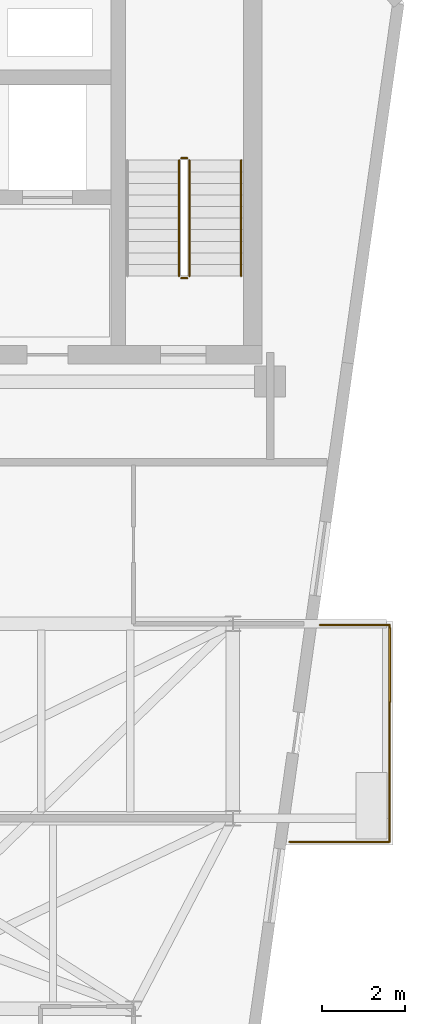
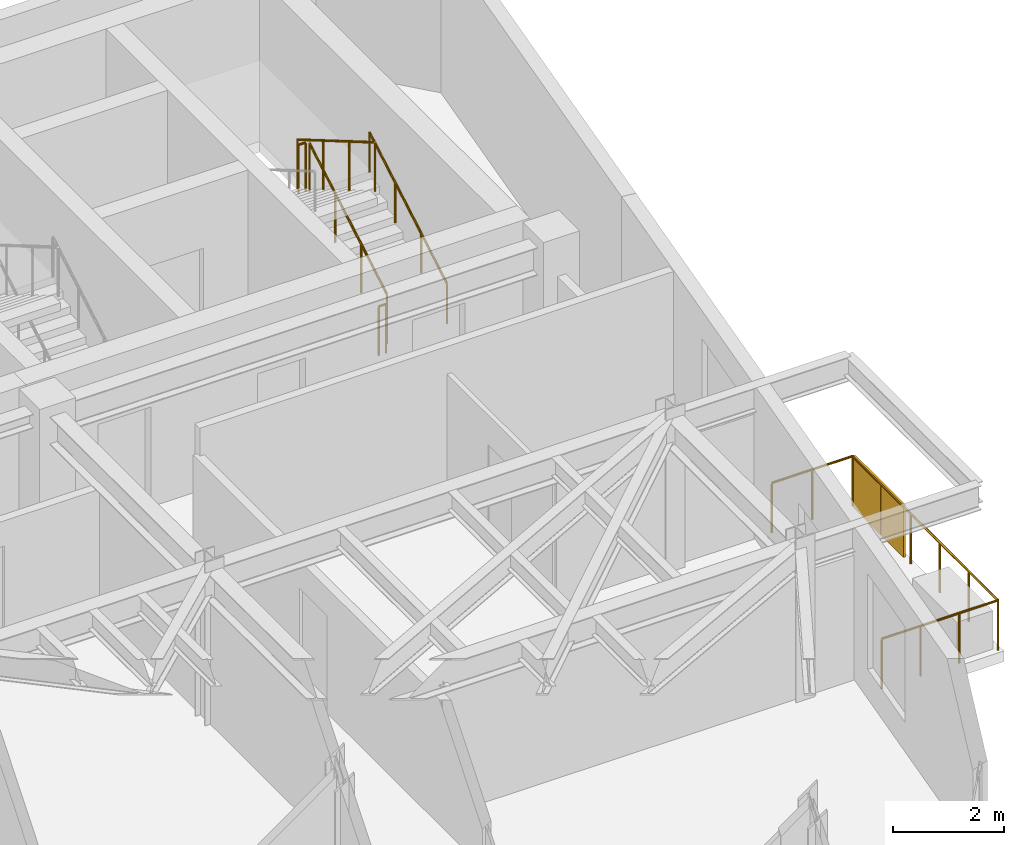
# One storey, part 17 of 17: 8 railings, 1 shading device.
"""IFC4 building model written with IfcOpenShell, lengths in metres."""

from ifc_helpers import new_model, si_unit, direction, frame, origin, origin_2d, place, context, subcontext, project, spatial, rectangle, circle, extrude, material, layer, layer_set, type_object, element, save


model = new_model("IFC4")

# Units and contexts
model_context = context("Model", 3, precision=1e-05, world=origin(), true_north=direction((0.0, 1.0)))
body_context = subcontext(model_context, "Body", "Model", "MODEL_VIEW")
ifc_project = project(units=[si_unit("LENGTHUNIT", "METRE"), si_unit("AREAUNIT", "SQUARE_METRE"), si_unit("VOLUMEUNIT", "CUBIC_METRE"), si_unit("PLANEANGLEUNIT", "RADIAN"), si_unit("MASSUNIT", "GRAM", prefix="KILO")], contexts=[model_context])

# Site, building, storey
site_placement = place(None, origin())
site = spatial("IfcSite", under=ifc_project, at=site_placement, CompositionType="ELEMENT")
building_placement = place(site_placement, origin())
building = spatial("IfcBuilding", under=site, at=building_placement, Name="Kravanh Interchange Tower", CompositionType="ELEMENT")
storey_placement = place(building_placement, frame((0.0, 0.0, 285.89990234375)))
storey = spatial("IfcBuildingStorey", under=building, at=storey_placement, Name="L70", CompositionType="ELEMENT", Elevation=285.89990234375)

# Shading device
ifc_material_1 = material(Name="Perforated Anodised Bronze Aluminium", Category="aluminium")
ifc_layer_1 = layer(ifc_material_1, 0.0400390625)
ifc_layer_set_1 = layer_set([ifc_layer_1], Name="Perforated Bronze Balcony Privacy Screen 1150mm")
shading_device_type = type_object("IfcShadingDeviceType", Name="Perforated Bronze Balcony Privacy Screen 1150mm", PredefinedType="USERDEFINED", material=ifc_layer_set_1)
shading_device_placement = place(storey_placement, frame((69.387939453125, 30.5, 0.000244140625), z_axis=(0.0, 0.0, 1.0), x_axis=(1.0, 0.0, 0.0)))
element("IfcShadingDevice", 1, at=shading_device_placement, inside=storey, type_object=shading_device_type, Name="L70 E Perforated Bronze BALCONY SCREEN", ObjectType="SCREEN", PredefinedType="USERDEFINED", context=body_context, shape_type="SweptSolid", body=[
    extrude(rectangle(XDim=0.0400390625, YDim=1.800048828125, at=origin_2d()), origin(), (0.0, 0.0, 1.0), 1.14990234375),
])

# Railings
ifc_material_2 = material(Name="Stainless Steel 316", Category="steel")
ifc_layer_2 = layer(ifc_material_2, 0.06005859375)
ifc_layer_set_2 = layer_set([ifc_layer_2], Name="Perimeter Balcony and Terrace Guardrail Stainless 316 1120mm")
railing_type_1 = type_object("IfcRailingType", Name="Perimeter Balcony and Terrace Guardrail Stainless 316 1120mm", PredefinedType="GUARDRAIL", material=ifc_layer_set_2)
railing_1_placement = place(storey_placement, frame((69.387939453125, 31.469970703125, 0.0)))
element("IfcRailing", 2, at=railing_1_placement, inside=storey, type_object=railing_type_1, Name="L70 E Balcony Guardrail 1", PredefinedType="GUARDRAIL", context=body_context, shape_type="SweptSolid", body=[
    extrude(circle(Radius=0.02392578125, at=origin_2d()), frame((0.0, 0.0, 1.09619140625), z_axis=(0.0, -1.0, 0.0), x_axis=(1.0, 0.0, 0.0)), (0.0, 0.0, 1.0), 5.239990234375),
    extrude(circle(Radius=0.02099609375, at=origin_2d()), origin(), (0.0, 0.0, 1.0), 1.072021484375),
    extrude(circle(Radius=0.02099609375, at=origin_2d()), frame((0.0, -1.048095703125, 0.0)), (0.0, 0.0, 1.0), 1.072021484375),
    extrude(circle(Radius=0.02099609375, at=origin_2d()), frame((0.0, -2.095947265625, 0.0)), (0.0, 0.0, 1.0), 1.072021484375),
    extrude(circle(Radius=0.02099609375, at=origin_2d()), frame((0.0, -3.14404296875, 0.0)), (0.0, 0.0, 1.0), 1.072021484375),
    extrude(circle(Radius=0.02099609375, at=origin_2d()), frame((0.0, -4.19189453125, 0.0)), (0.0, 0.0, 1.0), 1.072021484375),
    extrude(circle(Radius=0.02099609375, at=origin_2d()), frame((0.0, -5.239990234375, 0.0)), (0.0, 0.0, 1.0), 1.072021484375),
])
railing_2_placement = place(storey_placement, frame((69.387939453125, 26.22998046875, 0.0)))
element("IfcRailing", 3, at=railing_2_placement, inside=storey, type_object=railing_type_1, Name="L70 E Balcony Guardrail 2", PredefinedType="GUARDRAIL", context=body_context, shape_type="SweptSolid", body=[
    extrude(circle(Radius=0.02392578125, at=origin_2d()), frame((0.0, 0.0, 1.09619140625), z_axis=(-1.0, 0.0, 0.0), x_axis=(0.0, -1.0, 0.0)), (0.0, 0.0, 1.0), 2.421875),
    extrude(circle(Radius=0.02099609375, at=origin_2d()), origin(), (0.0, 0.0, 1.0), 1.072021484375),
    extrude(circle(Radius=0.02099609375, at=origin_2d()), frame((-0.807373046875, 0.0, 0.0)), (0.0, 0.0, 1.0), 1.072021484375),
    extrude(circle(Radius=0.02099609375, at=origin_2d()), frame((-1.614501953125, 0.0, 0.0)), (0.0, 0.0, 1.0), 1.072021484375),
    extrude(circle(Radius=0.02099609375, at=origin_2d()), frame((-2.421875, 0.0, 0.0)), (0.0, 0.0, 1.0), 1.072021484375),
])
railing_3_placement = place(storey_placement, frame((67.702392578125, 31.469970703125, 0.0)))
element("IfcRailing", 4, at=railing_3_placement, inside=storey, type_object=railing_type_1, Name="L70 E Balcony Guardrail 3", PredefinedType="GUARDRAIL", context=body_context, shape_type="SweptSolid", body=[
    extrude(circle(Radius=0.02392578125, at=origin_2d()), frame((0.0, 0.0, 1.09619140625), z_axis=(1.0, 0.0, 0.0), x_axis=(0.0, 1.0, 0.0)), (0.0, 0.0, 1.0), 1.685546875),
    extrude(circle(Radius=0.02099609375, at=origin_2d()), origin(), (0.0, 0.0, 1.0), 1.072021484375),
    extrude(circle(Radius=0.02099609375, at=origin_2d()), frame((0.8427734375, 0.0, 0.0)), (0.0, 0.0, 1.0), 1.072021484375),
    extrude(circle(Radius=0.02099609375, at=origin_2d()), frame((1.685546875, 0.0, 0.0)), (0.0, 0.0, 1.0), 1.072021484375),
])
ifc_material_3 = material(Name="Structural Steel S355", Category="steel")
ifc_layer_3 = layer(ifc_material_3, 0.050048828125)
ifc_layer_set_3 = layer_set([ifc_layer_3], Name="Stair Well Guardrail Structural Steel S355 1100mm")
railing_type_2 = type_object("IfcRailingType", Name="Stair Well Guardrail Structural Steel S355 1100mm", PredefinedType="GUARDRAIL", material=ifc_layer_set_3)
railing_4_placement = place(storey_placement, frame((64.550048828125, 39.89990234375, 0.163818359375)))
element("IfcRailing", 5, at=railing_4_placement, inside=storey, type_object=railing_type_2, Name="L70 ST1 stair guard 1", PredefinedType="GUARDRAIL", context=body_context, shape_type="SweptSolid", body=[
    extrude(circle(Radius=0.02392578125, at=origin_2d()), frame((0.0, 0.0, 1.076171875), z_axis=(0.0, 0.863393664356, 0.504530851732), x_axis=(-1.0, 0.0, 0.0)), (0.0, 0.0, 1.0), 3.2431640625),
    extrude(circle(Radius=0.02099609375, at=origin_2d()), origin(), (0.0, 0.0, 1.0), 1.052001953125),
    extrude(circle(Radius=0.02099609375, at=origin_2d()), frame((0.0, 0.933349609375, 0.54541015625)), (0.0, 0.0, 1.0), 1.052001953125),
    extrude(circle(Radius=0.02099609375, at=origin_2d()), frame((0.0, 1.86669921875, 1.0908203125)), (0.0, 0.0, 1.0), 1.052001953125),
    extrude(circle(Radius=0.02099609375, at=origin_2d()), frame((0.0, 2.800048828125, 1.63623046875)), (0.0, 0.0, 1.0), 1.052001953125),
])
railing_5_placement = place(storey_placement, frame((64.5, 42.75, 1.800048828125)))
element("IfcRailing", 6, at=railing_5_placement, inside=storey, type_object=railing_type_2, Name="L70 ST1 stair guard 2", PredefinedType="GUARDRAIL", context=body_context, shape_type="SweptSolid", body=[
    extrude(circle(Radius=0.02392578125, at=origin_2d()), frame((0.0, 0.0, 1.076171875), z_axis=(-1.0, 0.0, 0.0), x_axis=(0.0, -1.0, 0.0)), (0.0, 0.0, 1.0), 0.14990234375),
    extrude(circle(Radius=0.02099609375, at=origin_2d()), origin(), (0.0, 0.0, 1.0), 1.052001953125),
    extrude(circle(Radius=0.02099609375, at=origin_2d()), frame((-0.14990234375, 0.0, 0.0)), (0.0, 0.0, 1.0), 1.052001953125),
])
railing_6_placement = place(storey_placement, frame((64.300048828125, 42.699951171875, 1.963623046875)))
element("IfcRailing", 7, at=railing_6_placement, inside=storey, type_object=railing_type_2, Name="L70 ST1 stair guard 3", PredefinedType="GUARDRAIL", context=body_context, shape_type="SweptSolid", body=[
    extrude(circle(Radius=0.02392578125, at=origin_2d()), frame((0.0, 0.0, 1.076171875), z_axis=(0.0, -0.863360870873, 0.504586966384), x_axis=(1.0, 0.0, 0.0)), (0.0, 0.0, 1.0), 3.2431640625),
    extrude(circle(Radius=0.02099609375, at=origin_2d()), origin(), (0.0, 0.0, 1.0), 1.052001953125),
    extrude(circle(Radius=0.02099609375, at=origin_2d()), frame((0.0, -0.933349609375, 0.54541015625)), (0.0, 0.0, 1.0), 1.052001953125),
    extrude(circle(Radius=0.02099609375, at=origin_2d()), frame((0.0, -1.86669921875, 1.091064453125)), (0.0, 0.0, 1.0), 1.052001953125),
    extrude(circle(Radius=0.02099609375, at=origin_2d()), frame((0.0, -2.800048828125, 1.636474609375)), (0.0, 0.0, 1.0), 1.052001953125),
])
railing_7_placement = place(storey_placement, frame((64.5, 39.85009765625, 0.0)))
element("IfcRailing", 8, at=railing_7_placement, inside=storey, type_object=railing_type_2, Name="L70 ST1 stair guard 4", PredefinedType="GUARDRAIL", context=body_context, shape_type="SweptSolid", body=[
    extrude(circle(Radius=0.02392578125, at=origin_2d()), frame((0.0, 0.0, 1.076171875), z_axis=(-1.0, 0.0, 0.0), x_axis=(0.0, -1.0, 0.0)), (0.0, 0.0, 1.0), 0.14990234375),
    extrude(circle(Radius=0.02099609375, at=origin_2d()), origin(), (0.0, 0.0, 1.0), 1.052001953125),
    extrude(circle(Radius=0.02099609375, at=origin_2d()), frame((-0.14990234375, 0.0, 0.0)), (0.0, 0.0, 1.0), 1.052001953125),
])
ifc_material_4 = material(Name="Stainless Steel 304", Category="steel")
ifc_layer_4 = layer(ifc_material_4, 0.044921875)
ifc_layer_set_4 = layer_set([ifc_layer_4], Name="Tubular Stair Handrail Stainless 304 900mm")
railing_type_3 = type_object("IfcRailingType", Name="Tubular Stair Handrail Stainless 304 900mm", PredefinedType="HANDRAIL", material=ifc_layer_set_4)
railing_8_placement = place(storey_placement, frame((65.800048828125, 39.89990234375, 0.163818359375)))
element("IfcRailing", 9, at=railing_8_placement, inside=storey, type_object=railing_type_3, Name="L70 ST1 stair handrail 1", PredefinedType="HANDRAIL", context=body_context, shape_type="SweptSolid", body=[
    extrude(circle(Radius=0.02392578125, at=origin_2d()), frame((0.0, 0.0, 0.8759765625), z_axis=(0.0, 0.863393664356, 0.504530851732), x_axis=(-1.0, 0.0, 0.0)), (0.0, 0.0, 1.0), 3.2431640625),
    extrude(circle(Radius=0.02099609375, at=origin_2d()), origin(), (0.0, 0.0, 1.0), 0.851806640625),
    extrude(circle(Radius=0.02099609375, at=origin_2d()), frame((0.0, 0.933349609375, 0.54541015625)), (0.0, 0.0, 1.0), 0.851806640625),
    extrude(circle(Radius=0.02099609375, at=origin_2d()), frame((0.0, 1.86669921875, 1.0908203125)), (0.0, 0.0, 1.0), 0.851806640625),
    extrude(circle(Radius=0.02099609375, at=origin_2d()), frame((0.0, 2.800048828125, 1.63623046875)), (0.0, 0.0, 1.0), 0.851806640625),
])

save(model, "model.ifc")
